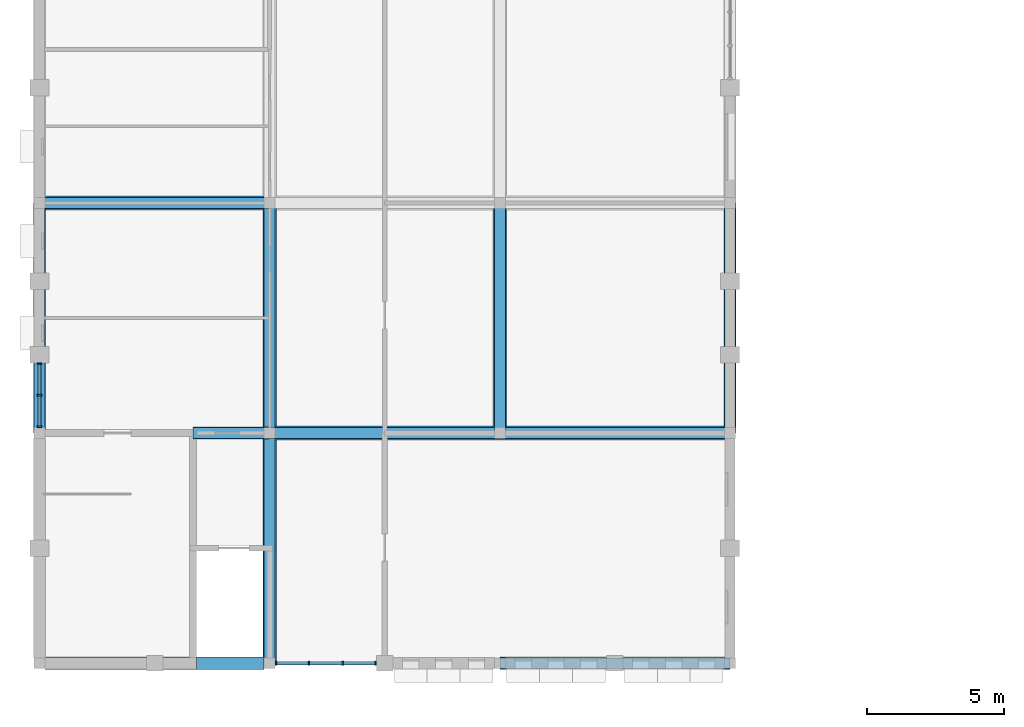
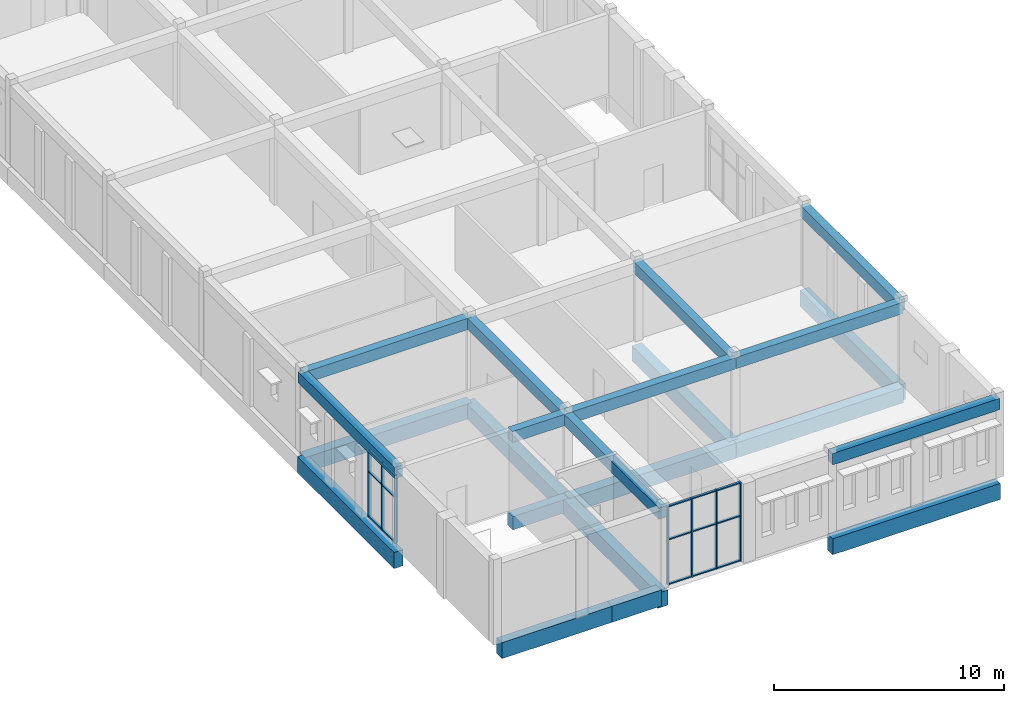
# One storey, part 1 of 15: 22 beams, 22 members, 2 elements without a shape of their own.
"""IFC4 building model written with IfcOpenShell, lengths in metres."""

from ifc_helpers import new_model, si_unit, direction, frame, origin, origin_2d, place, context, subcontext, project, spatial, rectangle, extrude, material, material_profile, profile_set, type_object, element, aggregate, save


model = new_model("IFC4")

# Units and contexts
model_context = context("Model", 3, precision=1e-05, world=origin(), true_north=direction((0.0, 1.0)))
body_context = subcontext(model_context, "Body", "Model", "MODEL_VIEW")
ifc_project = project(units=[si_unit("LENGTHUNIT", "METRE"), si_unit("AREAUNIT", "SQUARE_METRE"), si_unit("VOLUMEUNIT", "CUBIC_METRE"), si_unit("PLANEANGLEUNIT", "RADIAN"), si_unit("MASSUNIT", "GRAM", prefix="KILO")], contexts=[model_context])

# Site, building, storey
site_placement = place(None, origin())
site = spatial("IfcSite", under=ifc_project, at=site_placement, CompositionType="ELEMENT")
building_placement = place(site_placement, origin())
building = spatial("IfcBuilding", under=site, at=building_placement, Name="Fescue Hill Polytechnic", CompositionType="ELEMENT")
storey_placement = place(building_placement, frame((0.0, 0.0, 31.5)))
storey = spatial("IfcBuildingStorey", under=building, at=storey_placement, Name="L07", CompositionType="ELEMENT", Elevation=31.5)

# Beams
ifc_material_1 = material(Name="Concrete 35 MPa", Category="concrete")
ifc_material_profile_1 = material_profile(ifc_material_1, rectangle(XDim=0.39990234375, YDim=0.60009765625, at=origin_2d()), Name="RC 400x600")
ifc_profile_set_1 = profile_set([ifc_material_profile_1], Name="Concrete 35 MPa")
beam_type_1 = type_object("IfcBeamType", Name="Beam RC 400x600", PredefinedType="BEAM", material=ifc_profile_set_1)
beam_1_placement = place(storey_placement, frame((0.0, 58.800048828125, 3.89990234375), z_axis=(0.0, 1.0, 0.0), x_axis=(-1.0, 0.0, 0.0)))
element("IfcBeam", 1, at=beam_1_placement, inside=storey, type_object=beam_type_1, Name="BR-L07-0001", PredefinedType="BEAM", context=body_context, shape_type="SweptSolid", body=[
    extrude(rectangle(XDim=0.39990234375, YDim=0.60009765625, at=origin_2d()), origin(), (0.0, 0.0, 1.0), 8.39990234375),
])
beam_2_placement = place(storey_placement, frame((0.010009765625, 67.199951171875, 3.89990234375), z_axis=(1.0, 0.0, 0.0), x_axis=(0.0, 1.0, 0.0)))
element("IfcBeam", 2, at=beam_2_placement, inside=storey, type_object=beam_type_1, Name="BR-L07-0008", PredefinedType="BEAM", context=body_context, shape_type="SweptSolid", body=[
    extrude(rectangle(XDim=0.39990234375, YDim=0.60009765625, at=origin_2d()), origin(), (0.0, 0.0, 1.0), 8.3798828125),
])
beam_3_placement = place(storey_placement, frame((5.60009765625, 58.800048828125, 3.89990234375), z_axis=(1.0, 0.0, 0.0), x_axis=(0.0, 1.0, 0.0)))
element("IfcBeam", 3, at=beam_3_placement, inside=storey, type_object=beam_type_1, Name="BR-L07-0014", PredefinedType="BEAM", context=body_context, shape_type="SweptSolid", body=[
    extrude(rectangle(XDim=0.39990234375, YDim=0.60009765625, at=origin_2d()), origin(), (0.0, 0.0, 1.0), 2.789794921875),
])
beam_4_placement = place(storey_placement, frame((8.39990234375, 50.39990234375, 3.89990234375), z_axis=(0.0, 1.0, 0.0), x_axis=(-1.0, 0.0, 0.0)))
element("IfcBeam", 4, at=beam_4_placement, inside=storey, type_object=beam_type_1, Name="BR-L07-0016", PredefinedType="BEAM", context=body_context, shape_type="SweptSolid", body=[
    extrude(rectangle(XDim=0.39990234375, YDim=0.60009765625, at=origin_2d()), origin(), (0.0, 0.0, 1.0), 8.400146484375),
])
beam_5_placement = place(storey_placement, frame((8.39990234375, 58.800048828125, 3.89990234375), z_axis=(0.0, 1.0, 0.0), x_axis=(-1.0, 0.0, 0.0)))
element("IfcBeam", 5, at=beam_5_placement, inside=storey, type_object=beam_type_1, Name="BR-L07-0017", PredefinedType="BEAM", context=body_context, shape_type="SweptSolid", body=[
    extrude(rectangle(XDim=0.39990234375, YDim=0.60009765625, at=origin_2d()), origin(), (0.0, 0.0, 1.0), 8.39990234375),
])
beam_6_placement = place(storey_placement, frame((8.409912109375, 58.800048828125, 3.89990234375), z_axis=(1.0, 0.0, 0.0), x_axis=(0.0, 1.0, 0.0)))
element("IfcBeam", 6, at=beam_6_placement, inside=storey, type_object=beam_type_1, Name="BR-L07-0024", PredefinedType="BEAM", context=body_context, shape_type="SweptSolid", body=[
    extrude(rectangle(XDim=0.39990234375, YDim=0.60009765625, at=origin_2d()), origin(), (0.0, 0.0, 1.0), 8.380126953125),
])
for number, where, z_axis, x_axis, name in (
    (7, (16.800048828125, 50.39990234375, 3.89990234375), (1.0, 0.0, 0.0), (0.0, 1.0, 0.0), "BR-L07-0032"),
    (8, (16.800048828125, 58.800048828125, 3.89990234375), (0.0, 1.0, 0.0), (-1.0, 0.0, 0.0), "BR-L07-0033"),
):
    element("IfcBeam", number, at=place(storey_placement, frame(where, z_axis=z_axis, x_axis=x_axis)), inside=storey, type_object=beam_type_1, Name=name, PredefinedType="BEAM", context=body_context, shape_type="SweptSolid", body=[
        extrude(rectangle(XDim=0.39990234375, YDim=0.60009765625, at=origin_2d()), origin(), (0.0, 0.0, 1.0), 8.39990234375),
    ])
beam_7_placement = place(storey_placement, frame((16.81005859375, 58.800048828125, 3.89990234375), z_axis=(1.0, 0.0, 0.0), x_axis=(0.0, 1.0, 0.0)))
element("IfcBeam", 9, at=beam_7_placement, inside=storey, type_object=beam_type_1, Name="BR-L07-0043", PredefinedType="BEAM", context=body_context, shape_type="SweptSolid", body=[
    extrude(rectangle(XDim=0.39990234375, YDim=0.60009765625, at=origin_2d()), origin(), (0.0, 0.0, 1.0), 8.3798828125),
])
beam_8_placement = place(storey_placement, frame((25.199951171875, 58.800048828125, 3.89990234375), z_axis=(0.0, 1.0, 0.0), x_axis=(-1.0, 0.0, 0.0)))
element("IfcBeam", 10, at=beam_8_placement, inside=storey, type_object=beam_type_1, Name="BR-L07-0051", PredefinedType="BEAM", context=body_context, shape_type="SweptSolid", body=[
    extrude(rectangle(XDim=0.39990234375, YDim=0.60009765625, at=origin_2d()), origin(), (0.0, 0.0, 1.0), 8.39990234375),
])
ifc_material_profile_2 = material_profile(ifc_material_1, rectangle(XDim=0.449951171875, YDim=0.699951171875, at=origin_2d()), Name="RC 450x700")
ifc_profile_set_2 = profile_set([ifc_material_profile_2], Name="Concrete 35 MPa")
beam_type_2 = type_object("IfcBeamType", Name="Beam RC 450x700", PredefinedType="BEAM", material=ifc_profile_set_2)
beam_9_placement = place(storey_placement, frame((5.60009765625, 58.800048828125, -0.64990234375), z_axis=(1.0, 0.0, 0.0), x_axis=(0.0, 1.0, 0.0)))
element("IfcBeam", 11, at=beam_9_placement, inside=storey, type_object=beam_type_2, Name="BM-L07-0014", PredefinedType="BEAM", context=body_context, shape_type="SweptSolid", body=[
    extrude(rectangle(XDim=0.449951171875, YDim=0.699951171875, at=origin_2d()), origin(), (0.0, 0.0, 1.0), 2.789794921875),
])
ifc_material_profile_3 = material_profile(ifc_material_1, rectangle(XDim=0.449951171875, YDim=0.85009765625, at=origin_2d()), Name="RC 450x850")
ifc_profile_set_3 = profile_set([ifc_material_profile_3], Name="Concrete 35 MPa")
beam_type_3 = type_object("IfcBeamType", Name="Beam RC 450x850", PredefinedType="BEAM", material=ifc_profile_set_3)
for number, where, z_axis, x_axis, name in (
    (12, (0.0, 58.800048828125, -0.72509765625), (0.0, 1.0, 0.0), (-1.0, 0.0, 0.0), "BM-L07-0001"),
    (13, (16.800048828125, 50.39990234375, -0.72509765625), (1.0, 0.0, 0.0), (0.0, 1.0, 0.0), "BM-L07-0032"),
    (14, (25.199951171875, 58.800048828125, -0.72509765625), (0.0, 1.0, 0.0), (-1.0, 0.0, 0.0), "BM-L07-0051"),
):
    element("IfcBeam", number, at=place(storey_placement, frame(where, z_axis=z_axis, x_axis=x_axis)), inside=storey, type_object=beam_type_3, Name=name, PredefinedType="BEAM", context=body_context, shape_type="SweptSolid", body=[
        extrude(rectangle(XDim=0.449951171875, YDim=0.85009765625, at=origin_2d()), origin(), (0.0, 0.0, 1.0), 8.39990234375),
    ])
beam_10_placement = place(storey_placement, frame((0.199951171875, 50.39990234375, -0.425048828125), z_axis=(1.0, 0.0, 0.0), x_axis=(0.0, 1.0, 0.0)))
element("IfcBeam", 15, at=beam_10_placement, inside=storey, type_object=beam_type_3, Name="BM-L07-0071", PredefinedType="BEAM", context=body_context, shape_type="SweptSolid", body=[
    extrude(rectangle(XDim=0.449951171875, YDim=0.85009765625, at=origin_2d()), origin(), (0.0, 0.0, 1.0), 5.525146484375),
])
beam_11_placement = place(storey_placement, frame((5.72509765625, 50.39990234375, -0.425048828125), z_axis=(1.0, 0.0, 0.0), x_axis=(0.0, 1.0, 0.0)))
element("IfcBeam", 16, at=beam_11_placement, inside=storey, type_object=beam_type_3, Name="BM-L07-0072", PredefinedType="BEAM", context=body_context, shape_type="SweptSolid", body=[
    extrude(rectangle(XDim=0.449951171875, YDim=0.85009765625, at=origin_2d()), origin(), (0.0, 0.0, 1.0), 2.474853515625),
])
ifc_material_profile_4 = material_profile(ifc_material_1, rectangle(XDim=0.5, YDim=0.800048828125, at=origin_2d()), Name="RC 500x800")
ifc_profile_set_4 = profile_set([ifc_material_profile_4], Name="Concrete 35 MPa")
beam_type_4 = type_object("IfcBeamType", Name="Beam RC 500x800", PredefinedType="BEAM", material=ifc_profile_set_4)
beam_12_placement = place(storey_placement, frame((0.010009765625, 67.199951171875, -0.699951171875), z_axis=(1.0, 0.0, 0.0), x_axis=(0.0, 1.0, 0.0)))
element("IfcBeam", 17, at=beam_12_placement, inside=storey, type_object=beam_type_4, Name="BM-L07-0008", PredefinedType="BEAM", context=body_context, shape_type="SweptSolid", body=[
    extrude(rectangle(XDim=0.5, YDim=0.800048828125, at=origin_2d()), origin(), (0.0, 0.0, 1.0), 8.3798828125),
])
beam_13_placement = place(storey_placement, frame((8.39990234375, 50.39990234375, -0.699951171875), z_axis=(0.0, 1.0, 0.0), x_axis=(-1.0, 0.0, 0.0)))
element("IfcBeam", 18, at=beam_13_placement, inside=storey, type_object=beam_type_4, Name="BM-L07-0016", PredefinedType="BEAM", context=body_context, shape_type="SweptSolid", body=[
    extrude(rectangle(XDim=0.5, YDim=0.800048828125, at=origin_2d()), origin(), (0.0, 0.0, 1.0), 8.400146484375),
])
beam_14_placement = place(storey_placement, frame((8.39990234375, 58.800048828125, -0.699951171875), z_axis=(0.0, 1.0, 0.0), x_axis=(-1.0, 0.0, 0.0)))
element("IfcBeam", 19, at=beam_14_placement, inside=storey, type_object=beam_type_4, Name="BM-L07-0017", PredefinedType="BEAM", context=body_context, shape_type="SweptSolid", body=[
    extrude(rectangle(XDim=0.5, YDim=0.800048828125, at=origin_2d()), origin(), (0.0, 0.0, 1.0), 8.39990234375),
])
beam_15_placement = place(storey_placement, frame((8.409912109375, 58.800048828125, -0.699951171875), z_axis=(1.0, 0.0, 0.0), x_axis=(0.0, 1.0, 0.0)))
element("IfcBeam", 20, at=beam_15_placement, inside=storey, type_object=beam_type_4, Name="BM-L07-0024", PredefinedType="BEAM", context=body_context, shape_type="SweptSolid", body=[
    extrude(rectangle(XDim=0.5, YDim=0.800048828125, at=origin_2d()), origin(), (0.0, 0.0, 1.0), 8.380126953125),
])
beam_16_placement = place(storey_placement, frame((16.800048828125, 58.800048828125, -0.699951171875), z_axis=(0.0, 1.0, 0.0), x_axis=(-1.0, 0.0, 0.0)))
element("IfcBeam", 21, at=beam_16_placement, inside=storey, type_object=beam_type_4, Name="BM-L07-0033", PredefinedType="BEAM", context=body_context, shape_type="SweptSolid", body=[
    extrude(rectangle(XDim=0.5, YDim=0.800048828125, at=origin_2d()), origin(), (0.0, 0.0, 1.0), 8.39990234375),
])
beam_17_placement = place(storey_placement, frame((16.81005859375, 58.800048828125, -0.699951171875), z_axis=(1.0, 0.0, 0.0), x_axis=(0.0, 1.0, 0.0)))
element("IfcBeam", 22, at=beam_17_placement, inside=storey, type_object=beam_type_4, Name="BM-L07-0043", PredefinedType="BEAM", context=body_context, shape_type="SweptSolid", body=[
    extrude(rectangle(XDim=0.5, YDim=0.800048828125, at=origin_2d()), origin(), (0.0, 0.0, 1.0), 8.3798828125),
])

# Curtain wall, members
ifc_material_2 = material(Name="Glass", Category="glass")
curtain_wall_type = type_object("IfcCurtainWallType", Name="Curtain wall structural glazing", PredefinedType="NOTDEFINED", material=ifc_material_2)
curtain_wall_1_placement = place(storey_placement, origin())
curtain_wall_1 = element("IfcCurtainWall", 23, at=curtain_wall_1_placement, inside=storey, type_object=curtain_wall_type, Name="CW-L07-V4-X1", PredefinedType="NOTDEFINED")
ifc_material_3 = material(Name="Powder-coated aluminium", Category="aluminium")
ifc_material_profile_5 = material_profile(ifc_material_3, rectangle(XDim=0.159912109375, YDim=0.06005859375, at=origin_2d()), Name="Mullion aluminium 60x160")
ifc_profile_set_5 = profile_set([ifc_material_profile_5], Name="Powder-coated aluminium")
member_type_1 = type_object("IfcMemberType", Name="Mullion aluminium 60x160", PredefinedType="MULLION", material=ifc_profile_set_5)
member_1_placement = place(storey_placement, frame((0.0, 61.336669921875, 0.0), z_axis=(0.0, 0.0, 1.0), x_axis=(1.0, 0.0, 0.0)))
member_1 = element("IfcMember", 24, at=member_1_placement, type_object=member_type_1, Name="CW127 mullion 1", PredefinedType="MULLION", context=body_context, shape_type="SweptSolid", body=[
    extrude(rectangle(XDim=0.159912109375, YDim=0.06005859375, at=origin_2d()), origin(), (0.0, 0.0, 1.0), 3.580078125),
])
member_2_placement = place(storey_placement, frame((0.0, 60.183349609375, 0.0), z_axis=(0.0, 0.0, 1.0), x_axis=(1.0, 0.0, 0.0)))
member_2 = element("IfcMember", 25, at=member_2_placement, type_object=member_type_1, Name="CW127 mullion 2", PredefinedType="MULLION", context=body_context, shape_type="SweptSolid", body=[
    extrude(rectangle(XDim=0.159912109375, YDim=0.06005859375, at=origin_2d()), origin(), (0.0, 0.0, 1.0), 3.580078125),
])
member_3_placement = place(storey_placement, frame((0.0, 59.030029296875, 0.0), z_axis=(0.0, 0.0, 1.0), x_axis=(1.0, 0.0, 0.0)))
member_3 = element("IfcMember", 26, at=member_3_placement, type_object=member_type_1, Name="CW127 mullion 3", PredefinedType="MULLION", context=body_context, shape_type="SweptSolid", body=[
    extrude(rectangle(XDim=0.159912109375, YDim=0.06005859375, at=origin_2d()), origin(), (0.0, 0.0, 1.0), 3.580078125),
])

curtain_wall_2_placement = place(storey_placement, origin())
curtain_wall_2 = element("IfcCurtainWall", 27, at=curtain_wall_2_placement, inside=storey, type_object=curtain_wall_type, Name="CW-L07-V4-X4", PredefinedType="NOTDEFINED")
member_4_placement = place(storey_placement, frame((8.6298828125, 50.39990234375, 0.0), z_axis=(0.0, 0.0, 1.0), x_axis=(0.0, 1.0, 0.0)))
member_4 = element("IfcMember", 28, at=member_4_placement, type_object=member_type_1, Name="CW145 mullion 1", PredefinedType="MULLION", context=body_context, shape_type="SweptSolid", body=[
    extrude(rectangle(XDim=0.159912109375, YDim=0.06005859375, at=origin_2d()), origin(), (0.0, 0.0, 1.0), 4.179931640625),
])
member_5_placement = place(storey_placement, frame((9.833251953125, 50.39990234375, 0.0), z_axis=(0.0, 0.0, 1.0), x_axis=(0.0, 1.0, 0.0)))
member_5 = element("IfcMember", 29, at=member_5_placement, type_object=member_type_1, Name="CW145 mullion 2", PredefinedType="MULLION", context=body_context, shape_type="SweptSolid", body=[
    extrude(rectangle(XDim=0.159912109375, YDim=0.06005859375, at=origin_2d()), origin(), (0.0, 0.0, 1.0), 4.179931640625),
])
member_6_placement = place(storey_placement, frame((11.066650390625, 50.39990234375, 0.0), z_axis=(0.0, 0.0, 1.0), x_axis=(0.0, 1.0, 0.0)))
member_6 = element("IfcMember", 30, at=member_6_placement, type_object=member_type_1, Name="CW145 mullion 3", PredefinedType="MULLION", context=body_context, shape_type="SweptSolid", body=[
    extrude(rectangle(XDim=0.159912109375, YDim=0.06005859375, at=origin_2d()), origin(), (0.0, 0.0, 1.0), 4.179931640625),
])
member_7_placement = place(storey_placement, frame((12.27001953125, 50.39990234375, 0.0), z_axis=(0.0, 0.0, 1.0), x_axis=(0.0, 1.0, 0.0)))
member_7 = element("IfcMember", 31, at=member_7_placement, type_object=member_type_1, Name="CW145 mullion 4", PredefinedType="MULLION", context=body_context, shape_type="SweptSolid", body=[
    extrude(rectangle(XDim=0.159912109375, YDim=0.06005859375, at=origin_2d()), origin(), (0.0, 0.0, 1.0), 4.179931640625),
])

# Member
ifc_material_profile_6 = material_profile(ifc_material_3, rectangle(XDim=0.1201171875, YDim=0.06005859375, at=origin_2d()), Name="Transom aluminium 60x120")
ifc_profile_set_6 = profile_set([ifc_material_profile_6], Name="Powder-coated aluminium")
member_type_2 = type_object("IfcMemberType", Name="Transom aluminium 60x120", PredefinedType="USERDEFINED", material=ifc_profile_set_6)
member_8_placement = place(storey_placement, frame((0.0, 61.306640625, 0.030029296875), z_axis=(0.0, -1.0, 0.0), x_axis=(1.0, 0.0, 0.0)))
member_8 = element("IfcMember", 32, at=member_8_placement, type_object=member_type_2, Name="CW127 transom 1.1", ObjectType="TRANSOM", PredefinedType="USERDEFINED", context=body_context, shape_type="SweptSolid", body=[
    extrude(rectangle(XDim=0.1201171875, YDim=0.06005859375, at=origin_2d()), origin(), (0.0, 0.0, 1.0), 1.09326171875),
])

member_9_placement = place(storey_placement, frame((0.0, 61.306640625, 2.39990234375), z_axis=(0.0, -1.0, 0.0), x_axis=(1.0, 0.0, 0.0)))
member_9 = element("IfcMember", 33, at=member_9_placement, type_object=member_type_2, Name="CW127 transom 1.2", ObjectType="TRANSOM", PredefinedType="USERDEFINED", context=body_context, shape_type="SweptSolid", body=[
    extrude(rectangle(XDim=0.1201171875, YDim=0.06005859375, at=origin_2d()), origin(), (0.0, 0.0, 1.0), 1.09326171875),
])

member_10_placement = place(storey_placement, frame((0.0, 61.306640625, 3.550048828125), z_axis=(0.0, -1.0, 0.0), x_axis=(1.0, 0.0, 0.0)))
member_10 = element("IfcMember", 34, at=member_10_placement, type_object=member_type_2, Name="CW127 transom 1.3", ObjectType="TRANSOM", PredefinedType="USERDEFINED", context=body_context, shape_type="SweptSolid", body=[
    extrude(rectangle(XDim=0.1201171875, YDim=0.06005859375, at=origin_2d()), origin(), (0.0, 0.0, 1.0), 1.09326171875),
])

member_11_placement = place(storey_placement, frame((0.0, 60.1533203125, 0.030029296875), z_axis=(0.0, -1.0, 0.0), x_axis=(1.0, 0.0, 0.0)))
member_11 = element("IfcMember", 35, at=member_11_placement, type_object=member_type_2, Name="CW127 transom 2.1", ObjectType="TRANSOM", PredefinedType="USERDEFINED", context=body_context, shape_type="SweptSolid", body=[
    extrude(rectangle(XDim=0.1201171875, YDim=0.06005859375, at=origin_2d()), origin(), (0.0, 0.0, 1.0), 1.09326171875),
])

member_12_placement = place(storey_placement, frame((0.0, 60.1533203125, 2.39990234375), z_axis=(0.0, -1.0, 0.0), x_axis=(1.0, 0.0, 0.0)))
member_12 = element("IfcMember", 36, at=member_12_placement, type_object=member_type_2, Name="CW127 transom 2.2", ObjectType="TRANSOM", PredefinedType="USERDEFINED", context=body_context, shape_type="SweptSolid", body=[
    extrude(rectangle(XDim=0.1201171875, YDim=0.06005859375, at=origin_2d()), origin(), (0.0, 0.0, 1.0), 1.09326171875),
])

member_13_placement = place(storey_placement, frame((0.0, 60.1533203125, 3.550048828125), z_axis=(0.0, -1.0, 0.0), x_axis=(1.0, 0.0, 0.0)))
member_13 = element("IfcMember", 37, at=member_13_placement, type_object=member_type_2, Name="CW127 transom 2.3", ObjectType="TRANSOM", PredefinedType="USERDEFINED", context=body_context, shape_type="SweptSolid", body=[
    extrude(rectangle(XDim=0.1201171875, YDim=0.06005859375, at=origin_2d()), origin(), (0.0, 0.0, 1.0), 1.09326171875),
])

aggregate(curtain_wall_1, [member_1, member_2, member_3, member_8, member_9, member_10, member_11, member_12, member_13])

member_14_placement = place(storey_placement, frame((8.659912109375, 50.39990234375, 0.030029296875), z_axis=(1.0, 0.0, 0.0), x_axis=(0.0, 1.0, 0.0)))
member_14 = element("IfcMember", 38, at=member_14_placement, type_object=member_type_2, Name="CW145 transom 1.1", ObjectType="TRANSOM", PredefinedType="USERDEFINED", context=body_context, shape_type="SweptSolid", body=[
    extrude(rectangle(XDim=0.1201171875, YDim=0.06005859375, at=origin_2d()), origin(), (0.0, 0.0, 1.0), 1.143310546875),
])

member_15_placement = place(storey_placement, frame((8.659912109375, 50.39990234375, 2.39990234375), z_axis=(1.0, 0.0, 0.0), x_axis=(0.0, 1.0, 0.0)))
member_15 = element("IfcMember", 39, at=member_15_placement, type_object=member_type_2, Name="CW145 transom 1.2", ObjectType="TRANSOM", PredefinedType="USERDEFINED", context=body_context, shape_type="SweptSolid", body=[
    extrude(rectangle(XDim=0.1201171875, YDim=0.06005859375, at=origin_2d()), origin(), (0.0, 0.0, 1.0), 1.143310546875),
])

member_16_placement = place(storey_placement, frame((8.659912109375, 50.39990234375, 4.14990234375), z_axis=(1.0, 0.0, 0.0), x_axis=(0.0, 1.0, 0.0)))
member_16 = element("IfcMember", 40, at=member_16_placement, type_object=member_type_2, Name="CW145 transom 1.3", ObjectType="TRANSOM", PredefinedType="USERDEFINED", context=body_context, shape_type="SweptSolid", body=[
    extrude(rectangle(XDim=0.1201171875, YDim=0.06005859375, at=origin_2d()), origin(), (0.0, 0.0, 1.0), 1.143310546875),
])

member_17_placement = place(storey_placement, frame((9.86328125, 50.39990234375, 0.030029296875), z_axis=(1.0, 0.0, 0.0), x_axis=(0.0, 1.0, 0.0)))
member_17 = element("IfcMember", 41, at=member_17_placement, type_object=member_type_2, Name="CW145 transom 2.1", ObjectType="TRANSOM", PredefinedType="USERDEFINED", context=body_context, shape_type="SweptSolid", body=[
    extrude(rectangle(XDim=0.1201171875, YDim=0.06005859375, at=origin_2d()), origin(), (0.0, 0.0, 1.0), 1.17333984375),
])

member_18_placement = place(storey_placement, frame((9.86328125, 50.39990234375, 2.39990234375), z_axis=(1.0, 0.0, 0.0), x_axis=(0.0, 1.0, 0.0)))
member_18 = element("IfcMember", 42, at=member_18_placement, type_object=member_type_2, Name="CW145 transom 2.2", ObjectType="TRANSOM", PredefinedType="USERDEFINED", context=body_context, shape_type="SweptSolid", body=[
    extrude(rectangle(XDim=0.1201171875, YDim=0.06005859375, at=origin_2d()), origin(), (0.0, 0.0, 1.0), 1.17333984375),
])

member_19_placement = place(storey_placement, frame((9.86328125, 50.39990234375, 4.14990234375), z_axis=(1.0, 0.0, 0.0), x_axis=(0.0, 1.0, 0.0)))
member_19 = element("IfcMember", 43, at=member_19_placement, type_object=member_type_2, Name="CW145 transom 2.3", ObjectType="TRANSOM", PredefinedType="USERDEFINED", context=body_context, shape_type="SweptSolid", body=[
    extrude(rectangle(XDim=0.1201171875, YDim=0.06005859375, at=origin_2d()), origin(), (0.0, 0.0, 1.0), 1.17333984375),
])

member_20_placement = place(storey_placement, frame((11.0966796875, 50.39990234375, 0.030029296875), z_axis=(1.0, 0.0, 0.0), x_axis=(0.0, 1.0, 0.0)))
member_20 = element("IfcMember", 44, at=member_20_placement, type_object=member_type_2, Name="CW145 transom 3.1", ObjectType="TRANSOM", PredefinedType="USERDEFINED", context=body_context, shape_type="SweptSolid", body=[
    extrude(rectangle(XDim=0.1201171875, YDim=0.06005859375, at=origin_2d()), origin(), (0.0, 0.0, 1.0), 1.143310546875),
])

member_21_placement = place(storey_placement, frame((11.0966796875, 50.39990234375, 2.39990234375), z_axis=(1.0, 0.0, 0.0), x_axis=(0.0, 1.0, 0.0)))
member_21 = element("IfcMember", 45, at=member_21_placement, type_object=member_type_2, Name="CW145 transom 3.2", ObjectType="TRANSOM", PredefinedType="USERDEFINED", context=body_context, shape_type="SweptSolid", body=[
    extrude(rectangle(XDim=0.1201171875, YDim=0.06005859375, at=origin_2d()), origin(), (0.0, 0.0, 1.0), 1.143310546875),
])

member_22_placement = place(storey_placement, frame((11.0966796875, 50.39990234375, 4.14990234375), z_axis=(1.0, 0.0, 0.0), x_axis=(0.0, 1.0, 0.0)))
member_22 = element("IfcMember", 46, at=member_22_placement, type_object=member_type_2, Name="CW145 transom 3.3", ObjectType="TRANSOM", PredefinedType="USERDEFINED", context=body_context, shape_type="SweptSolid", body=[
    extrude(rectangle(XDim=0.1201171875, YDim=0.06005859375, at=origin_2d()), origin(), (0.0, 0.0, 1.0), 1.143310546875),
])

aggregate(curtain_wall_2, [member_4, member_5, member_6, member_7, member_14, member_15, member_16, member_17, member_18, member_19, member_20, member_21, member_22])

save(model, "model.ifc")
